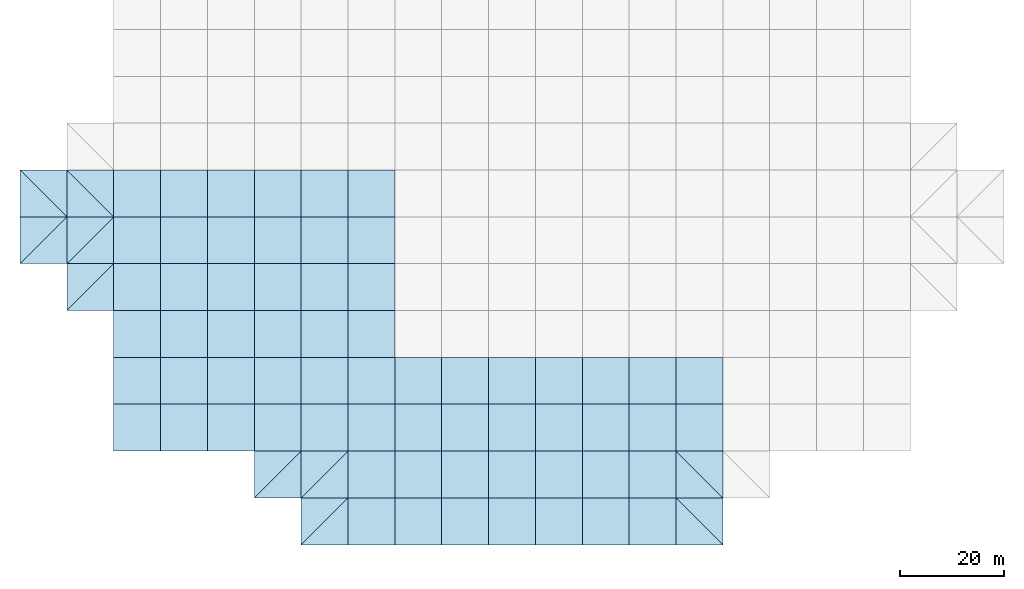
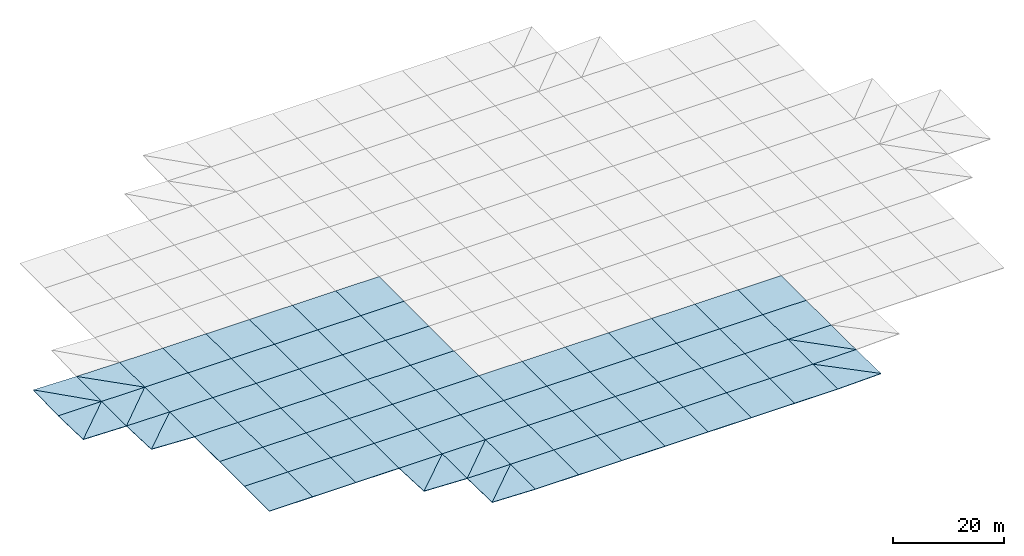
# One storey, part 1 of 3: 84 slabs.
"""IFC4 building model written with IfcOpenShell, lengths in metres."""

from ifc_helpers import new_model, si_unit, direction, frame, origin, place, context, subcontext, project, spatial, polyline, outline, extrude, material, layer, layer_set, type_object, element, save


model = new_model("IFC4")

# Units and contexts
model_context = context("Model", 3, precision=1e-05, world=origin(), true_north=direction((0.0, 1.0)))
body_context = subcontext(model_context, "Body", "Model", "MODEL_VIEW")
ifc_project = project(units=[si_unit("LENGTHUNIT", "METRE"), si_unit("AREAUNIT", "SQUARE_METRE"), si_unit("VOLUMEUNIT", "CUBIC_METRE"), si_unit("PLANEANGLEUNIT", "RADIAN"), si_unit("MASSUNIT", "GRAM", prefix="KILO")], contexts=[model_context])

# Site, building, storey
site_placement = place(None, origin())
site = spatial("IfcSite", under=ifc_project, at=site_placement, CompositionType="ELEMENT")
building_placement = place(site_placement, origin())
building = spatial("IfcBuilding", under=site, at=building_placement, Name="Opaline Strait Convention Centre", CompositionType="ELEMENT")
storey_placement = place(building_placement, frame((0.0, 0.0, 29.8798828125)))
storey = spatial("IfcBuildingStorey", under=building, at=storey_placement, Name="Roof Exhibition Block", CompositionType="ELEMENT", Elevation=29.8798828125)

# Slabs
ifc_material = material(Name="Steel Q235-B insulated roof panel", Category="steel")
ifc_layer = layer(ifc_material, 0.1201171875)
ifc_layer_set = layer_set([ifc_layer], Name="Steel Q235-B insulated roof panel")
slab_type = type_object("IfcSlabType", Name="Insulated roof panel 120 steel Q235B facings", PredefinedType="ROOF", material=ifc_layer_set)
slab_1_placement = place(storey_placement, frame((139.5, 40.5, 0.373046875), z_axis=(0.028065112591, 0.0, 0.999606097148), x_axis=(0.999606097148, 0.0, -0.028065112591)))
element("IfcSlab", 1, at=slab_1_placement, inside=storey, type_object=slab_type, Name="EXB-RF-D-6-0a", PredefinedType="ROOF", context=body_context, shape_type="SweptSolid", body=[
    extrude(outline(polyline([(0.0, 0.0), (9.003546522654254, 0.0), (9.003546522654254, 8.999999999999998), (0.0, 0.0)])), origin(), (0.0, 0.0, -1.0), 0.1201171875),
])
slab_2_placement = place(storey_placement, frame((139.5, 40.5, 0.372802734375), z_axis=(0.007268200226, 0.020801155124, 0.999757213133), x_axis=(0.706967474347, 0.706967474347, -0.01984894032)))
element("IfcSlab", 2, at=slab_2_placement, inside=storey, type_object=slab_type, Name="EXB-RF-D-6-0b", PredefinedType="ROOF", context=body_context, shape_type="SweptSolid", body=[
    extrude(outline(polyline([(0.0, 0.0), (12.730430078579417, -1.229485263598562e-15), (6.366424099497176, 6.364252426028673), (0.0, 0.0)])), origin(), (0.0, 0.0, -1.0), 0.1201171875),
])
slab_3_placement = place(storey_placement, origin())
element("IfcSlab", 3, at=slab_3_placement, inside=storey, type_object=slab_type, Name="EXB-RF-D-7-0", PredefinedType="ROOF", context=body_context, shape_type="SweptSolid", body=[
    extrude(outline(polyline([(148.5, 40.5), (157.5, 40.5), (157.5, 49.5), (148.5, 49.5), (148.5, 40.5)])), origin(), (0.0, 0.0, 1.0), 0.1201171875),
])
slab_4_placement = place(storey_placement, origin())
element("IfcSlab", 4, at=slab_4_placement, inside=storey, type_object=slab_type, Name="EXB-RF-D-8-0", PredefinedType="ROOF", context=body_context, shape_type="SweptSolid", body=[
    extrude(outline(polyline([(157.5, 40.5), (166.5, 40.5), (166.5, 49.5), (157.5, 49.5), (157.5, 40.5)])), origin(), (0.0, 0.0, 1.0), 0.1201171875),
])
slab_5_placement = place(storey_placement, origin())
element("IfcSlab", 5, at=slab_5_placement, inside=storey, type_object=slab_type, Name="EXB-RF-D-9-0", PredefinedType="ROOF", context=body_context, shape_type="SweptSolid", body=[
    extrude(outline(polyline([(166.5, 40.5), (175.5, 40.5), (175.5, 49.5), (166.5, 49.5), (166.5, 40.5)])), origin(), (0.0, 0.0, 1.0), 0.1201171875),
])
slab_6_placement = place(storey_placement, origin())
element("IfcSlab", 6, at=slab_6_placement, inside=storey, type_object=slab_type, Name="EXB-RF-D-10-0", PredefinedType="ROOF", context=body_context, shape_type="SweptSolid", body=[
    extrude(outline(polyline([(175.5, 40.5), (184.5, 40.5), (184.5, 49.5), (175.5, 49.5), (175.5, 40.5)])), origin(), (0.0, 0.0, 1.0), 0.1201171875),
])
slab_7_placement = place(storey_placement, origin())
element("IfcSlab", 7, at=slab_7_placement, inside=storey, type_object=slab_type, Name="EXB-RF-D-11-0", PredefinedType="ROOF", context=body_context, shape_type="SweptSolid", body=[
    extrude(outline(polyline([(184.5, 40.5), (193.5, 40.5), (193.5, 49.5), (184.5, 49.5), (184.5, 40.5)])), origin(), (0.0, 0.0, 1.0), 0.1201171875),
])
slab_8_placement = place(storey_placement, origin())
element("IfcSlab", 8, at=slab_8_placement, inside=storey, type_object=slab_type, Name="EXB-RF-D-12-0", PredefinedType="ROOF", context=body_context, shape_type="SweptSolid", body=[
    extrude(outline(polyline([(193.5, 40.5), (202.5, 40.5), (202.5, 49.5), (193.5, 49.5), (193.5, 40.5)])), origin(), (0.0, 0.0, 1.0), 0.1201171875),
])
slab_9_placement = place(storey_placement, origin())
element("IfcSlab", 9, at=slab_9_placement, inside=storey, type_object=slab_type, Name="EXB-RF-D-13-0", PredefinedType="ROOF", context=body_context, shape_type="SweptSolid", body=[
    extrude(outline(polyline([(202.5, 40.5), (211.5, 40.5), (211.5, 49.5), (202.5, 49.5), (202.5, 40.5)])), origin(), (0.0, 0.0, 1.0), 0.1201171875),
])
slab_10_placement = place(storey_placement, frame((220.5, 40.5, 0.372802734375), z_axis=(-0.007268200226, 0.020801155124, 0.999757213133), x_axis=(0.0, 0.999783621134, -0.020801704574)))
element("IfcSlab", 10, at=slab_10_placement, inside=storey, type_object=slab_type, Name="EXB-RF-D-14-0a", PredefinedType="ROOF", context=body_context, shape_type="SweptSolid", body=[
    extrude(outline(polyline([(0.0, 0.0), (9.00194783126798, -2.168404344971009e-19), (9.003308880297713, 9.00023772972425), (0.0, 0.0)])), origin(), (0.0, 0.0, -1.0), 0.1201171875),
])
slab_11_placement = place(storey_placement, frame((211.5, 40.5, 0.120361328125), z_axis=(-0.028065112591, 0.0, 0.999606097148), x_axis=(0.999606097148, 0.0, 0.028065112591)))
element("IfcSlab", 11, at=slab_11_placement, inside=storey, type_object=slab_type, Name="EXB-RF-D-14-0b", PredefinedType="ROOF", context=body_context, shape_type="SweptSolid", body=[
    extrude(outline(polyline([(0.0, 0.0), (9.003546522654254, 0.0), (0.0, 8.999999999999998), (0.0, 0.0)])), origin(), (0.0, 0.0, -1.0), 0.1201171875),
])
slab_12_placement = place(storey_placement, frame((130.5, 49.5, 0.522216796875), z_axis=(0.037353567758, 0.00726469968, 0.999275705256), x_axis=(0.999302075118, 0.0, -0.037354553481)))
element("IfcSlab", 12, at=slab_12_placement, inside=storey, type_object=slab_type, Name="EXB-RF-D-5-1a", PredefinedType="ROOF", context=body_context, shape_type="SweptSolid", body=[
    extrude(outline(polyline([(0.0, 0.0), (9.006285710896012, 0.0), (9.008729807656957, 9.000237500777263), (0.0, 0.0)])), origin(), (0.0, 0.0, -1.0), 0.1201171875),
])
slab_13_placement = place(storey_placement, frame((130.5, 49.5, 0.522216796875), z_axis=(0.0, 0.044606164642, 0.999004649677), x_axis=(0.706754608869, 0.706754608869, -0.031557022738)))
element("IfcSlab", 13, at=slab_13_placement, inside=storey, type_object=slab_type, Name="EXB-RF-D-5-1b", PredefinedType="ROOF", context=body_context, shape_type="SweptSolid", body=[
    extrude(outline(polyline([(0.0, 0.0), (12.734264321811619, 1.2836953722228372e-16), (6.373472841988095, 6.367129003735081), (0.0, 0.0)])), origin(), (0.0, 0.0, -1.0), 0.1201171875),
])
slab_14_placement = place(storey_placement, frame((139.5, 49.5, 0.185546875), z_axis=(0.007269773168, 0.0, 0.99997357485), x_axis=(0.99997357485, 0.0, -0.007269773168)))
element("IfcSlab", 14, at=slab_14_placement, inside=storey, type_object=slab_type, Name="EXB-RF-D-6-1a", PredefinedType="ROOF", context=body_context, shape_type="SweptSolid", body=[
    extrude(outline(polyline([(0.0, 0.0), (9.000237832635666, 0.0), (9.000237832635666, 9.0), (0.0, 0.0)])), origin(), (0.0, 0.0, -1.0), 0.1201171875),
])
slab_15_placement = place(storey_placement, frame((139.5, 49.5, 0.185546875), z_axis=(0.0, 0.007269773168, 0.99997357485), x_axis=(0.7070974383, 0.7070974383, -0.005140573824)))
element("IfcSlab", 15, at=slab_15_placement, inside=storey, type_object=slab_type, Name="EXB-RF-D-6-1b", PredefinedType="ROOF", context=body_context, shape_type="SweptSolid", body=[
    extrude(outline(polyline([(0.0, 0.0), (12.728090235538339, -9.204876444401933e-17), (6.364213290838621, 6.364045115547142), (0.0, 0.0)])), origin(), (0.0, 0.0, -1.0), 0.1201171875),
])
slab_16_placement = place(storey_placement, origin())
element("IfcSlab", 16, at=slab_16_placement, inside=storey, type_object=slab_type, Name="EXB-RF-D-7-1", PredefinedType="ROOF", context=body_context, shape_type="SweptSolid", body=[
    extrude(outline(polyline([(148.5, 49.5), (157.5, 49.5), (157.5, 58.5), (148.5, 58.5), (148.5, 49.5)])), origin(), (0.0, 0.0, 1.0), 0.1201171875),
])
slab_17_placement = place(storey_placement, origin())
element("IfcSlab", 17, at=slab_17_placement, inside=storey, type_object=slab_type, Name="EXB-RF-D-8-1", PredefinedType="ROOF", context=body_context, shape_type="SweptSolid", body=[
    extrude(outline(polyline([(157.5, 49.5), (166.5, 49.5), (166.5, 58.5), (157.5, 58.5), (157.5, 49.5)])), origin(), (0.0, 0.0, 1.0), 0.1201171875),
])
slab_18_placement = place(storey_placement, origin())
element("IfcSlab", 18, at=slab_18_placement, inside=storey, type_object=slab_type, Name="EXB-RF-D-9-1", PredefinedType="ROOF", context=body_context, shape_type="SweptSolid", body=[
    extrude(outline(polyline([(166.5, 49.5), (175.5, 49.5), (175.5, 58.5), (166.5, 58.5), (166.5, 49.5)])), origin(), (0.0, 0.0, 1.0), 0.1201171875),
])
slab_19_placement = place(storey_placement, origin())
element("IfcSlab", 19, at=slab_19_placement, inside=storey, type_object=slab_type, Name="EXB-RF-D-10-1", PredefinedType="ROOF", context=body_context, shape_type="SweptSolid", body=[
    extrude(outline(polyline([(175.5, 49.5), (184.5, 49.5), (184.5, 58.5), (175.5, 58.5), (175.5, 49.5)])), origin(), (0.0, 0.0, 1.0), 0.1201171875),
])
slab_20_placement = place(storey_placement, origin())
element("IfcSlab", 20, at=slab_20_placement, inside=storey, type_object=slab_type, Name="EXB-RF-D-11-1", PredefinedType="ROOF", context=body_context, shape_type="SweptSolid", body=[
    extrude(outline(polyline([(184.5, 49.5), (193.5, 49.5), (193.5, 58.5), (184.5, 58.5), (184.5, 49.5)])), origin(), (0.0, 0.0, 1.0), 0.1201171875),
])
slab_21_placement = place(storey_placement, origin())
element("IfcSlab", 21, at=slab_21_placement, inside=storey, type_object=slab_type, Name="EXB-RF-D-12-1", PredefinedType="ROOF", context=body_context, shape_type="SweptSolid", body=[
    extrude(outline(polyline([(193.5, 49.5), (202.5, 49.5), (202.5, 58.5), (193.5, 58.5), (193.5, 49.5)])), origin(), (0.0, 0.0, 1.0), 0.1201171875),
])
slab_22_placement = place(storey_placement, origin())
element("IfcSlab", 22, at=slab_22_placement, inside=storey, type_object=slab_type, Name="EXB-RF-D-13-1", PredefinedType="ROOF", context=body_context, shape_type="SweptSolid", body=[
    extrude(outline(polyline([(202.5, 49.5), (211.5, 49.5), (211.5, 58.5), (202.5, 58.5), (202.5, 49.5)])), origin(), (0.0, 0.0, 1.0), 0.1201171875),
])
slab_23_placement = place(storey_placement, frame((220.5, 49.5, 0.185546875), z_axis=(0.0, 0.007269773168, 0.99997357485), x_axis=(0.0, 0.99997357485, -0.007269773168)))
element("IfcSlab", 23, at=slab_23_placement, inside=storey, type_object=slab_type, Name="EXB-RF-D-14-1a", PredefinedType="ROOF", context=body_context, shape_type="SweptSolid", body=[
    extrude(outline(polyline([(0.0, 0.0), (9.000237832635666, 0.0), (9.000237832635666, 9.0), (0.0, 0.0)])), origin(), (0.0, 0.0, -1.0), 0.1201171875),
])
slab_24_placement = place(storey_placement, frame((211.5, 49.5, 0.1201171875), z_axis=(-0.007269773168, 0.0, 0.99997357485), x_axis=(0.99997357485, 0.0, 0.007269773168)))
element("IfcSlab", 24, at=slab_24_placement, inside=storey, type_object=slab_type, Name="EXB-RF-D-14-1b", PredefinedType="ROOF", context=body_context, shape_type="SweptSolid", body=[
    extrude(outline(polyline([(0.0, 0.0), (9.000237832635666, 0.0), (0.0, 9.0), (0.0, 0.0)])), origin(), (0.0, 0.0, -1.0), 0.1201171875),
])
slab_25_placement = place(storey_placement, origin())
element("IfcSlab", 25, at=slab_25_placement, inside=storey, type_object=slab_type, Name="EXB-RF-D-2-2", PredefinedType="ROOF", context=body_context, shape_type="SweptSolid", body=[
    extrude(outline(polyline([(103.5, 58.5), (112.5, 58.5), (112.5, 67.5), (103.5, 67.5), (103.5, 58.5)])), origin(), (0.0, 0.0, 1.0), 0.1201171875),
])
slab_26_placement = place(storey_placement, origin())
element("IfcSlab", 26, at=slab_26_placement, inside=storey, type_object=slab_type, Name="EXB-RF-D-3-2", PredefinedType="ROOF", context=body_context, shape_type="SweptSolid", body=[
    extrude(outline(polyline([(112.5, 58.5), (121.5, 58.5), (121.5, 67.5), (112.5, 67.5), (112.5, 58.5)])), origin(), (0.0, 0.0, 1.0), 0.1201171875),
])
slab_27_placement = place(storey_placement, origin())
element("IfcSlab", 27, at=slab_27_placement, inside=storey, type_object=slab_type, Name="EXB-RF-D-4-2", PredefinedType="ROOF", context=body_context, shape_type="SweptSolid", body=[
    extrude(outline(polyline([(121.5, 58.5), (130.5, 58.5), (130.5, 67.5), (121.5, 67.5), (121.5, 58.5)])), origin(), (0.0, 0.0, 1.0), 0.1201171875),
])
slab_28_placement = place(storey_placement, origin())
element("IfcSlab", 28, at=slab_28_placement, inside=storey, type_object=slab_type, Name="EXB-RF-D-5-2", PredefinedType="ROOF", context=body_context, shape_type="SweptSolid", body=[
    extrude(outline(polyline([(130.5, 58.5), (139.5, 58.5), (139.5, 67.5), (130.5, 67.5), (130.5, 58.5)])), origin(), (0.0, 0.0, 1.0), 0.1201171875),
])
slab_29_placement = place(storey_placement, origin())
element("IfcSlab", 29, at=slab_29_placement, inside=storey, type_object=slab_type, Name="EXB-RF-D-6-2", PredefinedType="ROOF", context=body_context, shape_type="SweptSolid", body=[
    extrude(outline(polyline([(139.5, 58.5), (148.5, 58.5), (148.5, 67.5), (139.5, 67.5), (139.5, 58.5)])), origin(), (0.0, 0.0, 1.0), 0.1201171875),
])
slab_30_placement = place(storey_placement, origin())
element("IfcSlab", 30, at=slab_30_placement, inside=storey, type_object=slab_type, Name="EXB-RF-D-7-2", PredefinedType="ROOF", context=body_context, shape_type="SweptSolid", body=[
    extrude(outline(polyline([(148.5, 58.5), (157.5, 58.5), (157.5, 67.5), (148.5, 67.5), (148.5, 58.5)])), origin(), (0.0, 0.0, 1.0), 0.1201171875),
])
slab_31_placement = place(storey_placement, origin())
element("IfcSlab", 31, at=slab_31_placement, inside=storey, type_object=slab_type, Name="EXB-RF-D-8-2", PredefinedType="ROOF", context=body_context, shape_type="SweptSolid", body=[
    extrude(outline(polyline([(157.5, 58.5), (166.5, 58.5), (166.5, 67.5), (157.5, 67.5), (157.5, 58.5)])), origin(), (0.0, 0.0, 1.0), 0.1201171875),
])
slab_32_placement = place(storey_placement, origin())
element("IfcSlab", 32, at=slab_32_placement, inside=storey, type_object=slab_type, Name="EXB-RF-D-9-2", PredefinedType="ROOF", context=body_context, shape_type="SweptSolid", body=[
    extrude(outline(polyline([(166.5, 58.5), (175.5, 58.5), (175.5, 67.5), (166.5, 67.5), (166.5, 58.5)])), origin(), (0.0, 0.0, 1.0), 0.1201171875),
])
slab_33_placement = place(storey_placement, origin())
element("IfcSlab", 33, at=slab_33_placement, inside=storey, type_object=slab_type, Name="EXB-RF-D-10-2", PredefinedType="ROOF", context=body_context, shape_type="SweptSolid", body=[
    extrude(outline(polyline([(175.5, 58.5), (184.5, 58.5), (184.5, 67.5), (175.5, 67.5), (175.5, 58.5)])), origin(), (0.0, 0.0, 1.0), 0.1201171875),
])
slab_34_placement = place(storey_placement, origin())
element("IfcSlab", 34, at=slab_34_placement, inside=storey, type_object=slab_type, Name="EXB-RF-D-11-2", PredefinedType="ROOF", context=body_context, shape_type="SweptSolid", body=[
    extrude(outline(polyline([(184.5, 58.5), (193.5, 58.5), (193.5, 67.5), (184.5, 67.5), (184.5, 58.5)])), origin(), (0.0, 0.0, 1.0), 0.1201171875),
])
slab_35_placement = place(storey_placement, origin())
element("IfcSlab", 35, at=slab_35_placement, inside=storey, type_object=slab_type, Name="EXB-RF-D-12-2", PredefinedType="ROOF", context=body_context, shape_type="SweptSolid", body=[
    extrude(outline(polyline([(193.5, 58.5), (202.5, 58.5), (202.5, 67.5), (193.5, 67.5), (193.5, 58.5)])), origin(), (0.0, 0.0, 1.0), 0.1201171875),
])
slab_36_placement = place(storey_placement, origin())
element("IfcSlab", 36, at=slab_36_placement, inside=storey, type_object=slab_type, Name="EXB-RF-D-13-2", PredefinedType="ROOF", context=body_context, shape_type="SweptSolid", body=[
    extrude(outline(polyline([(202.5, 58.5), (211.5, 58.5), (211.5, 67.5), (202.5, 67.5), (202.5, 58.5)])), origin(), (0.0, 0.0, 1.0), 0.1201171875),
])
slab_37_placement = place(storey_placement, origin())
element("IfcSlab", 37, at=slab_37_placement, inside=storey, type_object=slab_type, Name="EXB-RF-D-14-2", PredefinedType="ROOF", context=body_context, shape_type="SweptSolid", body=[
    extrude(outline(polyline([(211.5, 58.5), (220.5, 58.5), (220.5, 67.5), (211.5, 67.5), (211.5, 58.5)])), origin(), (0.0, 0.0, 1.0), 0.1201171875),
])
slab_38_placement = place(storey_placement, origin())
element("IfcSlab", 38, at=slab_38_placement, inside=storey, type_object=slab_type, Name="EXB-RF-D-2-3", PredefinedType="ROOF", context=body_context, shape_type="SweptSolid", body=[
    extrude(outline(polyline([(103.5, 67.5), (112.5, 67.5), (112.5, 76.5), (103.5, 76.5), (103.5, 67.5)])), origin(), (0.0, 0.0, 1.0), 0.1201171875),
])
slab_39_placement = place(storey_placement, origin())
element("IfcSlab", 39, at=slab_39_placement, inside=storey, type_object=slab_type, Name="EXB-RF-D-3-3", PredefinedType="ROOF", context=body_context, shape_type="SweptSolid", body=[
    extrude(outline(polyline([(112.5, 67.5), (121.5, 67.5), (121.5, 76.5), (112.5, 76.5), (112.5, 67.5)])), origin(), (0.0, 0.0, 1.0), 0.1201171875),
])
slab_40_placement = place(storey_placement, origin())
element("IfcSlab", 40, at=slab_40_placement, inside=storey, type_object=slab_type, Name="EXB-RF-D-4-3", PredefinedType="ROOF", context=body_context, shape_type="SweptSolid", body=[
    extrude(outline(polyline([(121.5, 67.5), (130.5, 67.5), (130.5, 76.5), (121.5, 76.5), (121.5, 67.5)])), origin(), (0.0, 0.0, 1.0), 0.1201171875),
])
slab_41_placement = place(storey_placement, origin())
element("IfcSlab", 41, at=slab_41_placement, inside=storey, type_object=slab_type, Name="EXB-RF-D-5-3", PredefinedType="ROOF", context=body_context, shape_type="SweptSolid", body=[
    extrude(outline(polyline([(130.5, 67.5), (139.5, 67.5), (139.5, 76.5), (130.5, 76.5), (130.5, 67.5)])), origin(), (0.0, 0.0, 1.0), 0.1201171875),
])
slab_42_placement = place(storey_placement, origin())
element("IfcSlab", 42, at=slab_42_placement, inside=storey, type_object=slab_type, Name="EXB-RF-D-6-3", PredefinedType="ROOF", context=body_context, shape_type="SweptSolid", body=[
    extrude(outline(polyline([(139.5, 67.5), (148.5, 67.5), (148.5, 76.5), (139.5, 76.5), (139.5, 67.5)])), origin(), (0.0, 0.0, 1.0), 0.1201171875),
])
slab_43_placement = place(storey_placement, origin())
element("IfcSlab", 43, at=slab_43_placement, inside=storey, type_object=slab_type, Name="EXB-RF-D-7-3", PredefinedType="ROOF", context=body_context, shape_type="SweptSolid", body=[
    extrude(outline(polyline([(148.5, 67.5), (157.5, 67.5), (157.5, 76.5), (148.5, 76.5), (148.5, 67.5)])), origin(), (0.0, 0.0, 1.0), 0.1201171875),
])
slab_44_placement = place(storey_placement, origin())
element("IfcSlab", 44, at=slab_44_placement, inside=storey, type_object=slab_type, Name="EXB-RF-D-8-3", PredefinedType="ROOF", context=body_context, shape_type="SweptSolid", body=[
    extrude(outline(polyline([(157.5, 67.5), (166.5, 67.5), (166.5, 76.5), (157.5, 76.5), (157.5, 67.5)])), origin(), (0.0, 0.0, 1.0), 0.1201171875),
])
slab_45_placement = place(storey_placement, origin())
element("IfcSlab", 45, at=slab_45_placement, inside=storey, type_object=slab_type, Name="EXB-RF-D-9-3", PredefinedType="ROOF", context=body_context, shape_type="SweptSolid", body=[
    extrude(outline(polyline([(166.5, 67.5), (175.5, 67.5), (175.5, 76.5), (166.5, 76.5), (166.5, 67.5)])), origin(), (0.0, 0.0, 1.0), 0.1201171875),
])
slab_46_placement = place(storey_placement, origin())
element("IfcSlab", 46, at=slab_46_placement, inside=storey, type_object=slab_type, Name="EXB-RF-D-10-3", PredefinedType="ROOF", context=body_context, shape_type="SweptSolid", body=[
    extrude(outline(polyline([(175.5, 67.5), (184.5, 67.5), (184.5, 76.5), (175.5, 76.5), (175.5, 67.5)])), origin(), (0.0, 0.0, 1.0), 0.1201171875),
])
slab_47_placement = place(storey_placement, origin())
element("IfcSlab", 47, at=slab_47_placement, inside=storey, type_object=slab_type, Name="EXB-RF-D-11-3", PredefinedType="ROOF", context=body_context, shape_type="SweptSolid", body=[
    extrude(outline(polyline([(184.5, 67.5), (193.5, 67.5), (193.5, 76.5), (184.5, 76.5), (184.5, 67.5)])), origin(), (0.0, 0.0, 1.0), 0.1201171875),
])
slab_48_placement = place(storey_placement, origin())
element("IfcSlab", 48, at=slab_48_placement, inside=storey, type_object=slab_type, Name="EXB-RF-D-12-3", PredefinedType="ROOF", context=body_context, shape_type="SweptSolid", body=[
    extrude(outline(polyline([(193.5, 67.5), (202.5, 67.5), (202.5, 76.5), (193.5, 76.5), (193.5, 67.5)])), origin(), (0.0, 0.0, 1.0), 0.1201171875),
])
slab_49_placement = place(storey_placement, origin())
element("IfcSlab", 49, at=slab_49_placement, inside=storey, type_object=slab_type, Name="EXB-RF-D-13-3", PredefinedType="ROOF", context=body_context, shape_type="SweptSolid", body=[
    extrude(outline(polyline([(202.5, 67.5), (211.5, 67.5), (211.5, 76.5), (202.5, 76.5), (202.5, 67.5)])), origin(), (0.0, 0.0, 1.0), 0.1201171875),
])
slab_50_placement = place(storey_placement, origin())
element("IfcSlab", 50, at=slab_50_placement, inside=storey, type_object=slab_type, Name="EXB-RF-D-14-3", PredefinedType="ROOF", context=body_context, shape_type="SweptSolid", body=[
    extrude(outline(polyline([(211.5, 67.5), (220.5, 67.5), (220.5, 76.5), (211.5, 76.5), (211.5, 67.5)])), origin(), (0.0, 0.0, 1.0), 0.1201171875),
])
slab_51_placement = place(storey_placement, origin())
element("IfcSlab", 51, at=slab_51_placement, inside=storey, type_object=slab_type, Name="EXB-RF-D-2-4", PredefinedType="ROOF", context=body_context, shape_type="SweptSolid", body=[
    extrude(outline(polyline([(103.5, 76.5), (112.5, 76.5), (112.5, 85.5), (103.5, 85.5), (103.5, 76.5)])), origin(), (0.0, 0.0, 1.0), 0.1201171875),
])
slab_52_placement = place(storey_placement, origin())
element("IfcSlab", 52, at=slab_52_placement, inside=storey, type_object=slab_type, Name="EXB-RF-D-3-4", PredefinedType="ROOF", context=body_context, shape_type="SweptSolid", body=[
    extrude(outline(polyline([(112.5, 76.5), (121.5, 76.5), (121.5, 85.5), (112.5, 85.5), (112.5, 76.5)])), origin(), (0.0, 0.0, 1.0), 0.1201171875),
])
slab_53_placement = place(storey_placement, origin())
element("IfcSlab", 53, at=slab_53_placement, inside=storey, type_object=slab_type, Name="EXB-RF-D-4-4", PredefinedType="ROOF", context=body_context, shape_type="SweptSolid", body=[
    extrude(outline(polyline([(121.5, 76.5), (130.5, 76.5), (130.5, 85.5), (121.5, 85.5), (121.5, 76.5)])), origin(), (0.0, 0.0, 1.0), 0.1201171875),
])
slab_54_placement = place(storey_placement, origin())
element("IfcSlab", 54, at=slab_54_placement, inside=storey, type_object=slab_type, Name="EXB-RF-D-5-4", PredefinedType="ROOF", context=body_context, shape_type="SweptSolid", body=[
    extrude(outline(polyline([(130.5, 76.5), (139.5, 76.5), (139.5, 85.5), (130.5, 85.5), (130.5, 76.5)])), origin(), (0.0, 0.0, 1.0), 0.1201171875),
])
slab_55_placement = place(storey_placement, origin())
element("IfcSlab", 55, at=slab_55_placement, inside=storey, type_object=slab_type, Name="EXB-RF-D-6-4", PredefinedType="ROOF", context=body_context, shape_type="SweptSolid", body=[
    extrude(outline(polyline([(139.5, 76.5), (148.5, 76.5), (148.5, 85.5), (139.5, 85.5), (139.5, 76.5)])), origin(), (0.0, 0.0, 1.0), 0.1201171875),
])
slab_56_placement = place(storey_placement, origin())
element("IfcSlab", 56, at=slab_56_placement, inside=storey, type_object=slab_type, Name="EXB-RF-D-7-4", PredefinedType="ROOF", context=body_context, shape_type="SweptSolid", body=[
    extrude(outline(polyline([(148.5, 76.5), (157.5, 76.5), (157.5, 85.5), (148.5, 85.5), (148.5, 76.5)])), origin(), (0.0, 0.0, 1.0), 0.1201171875),
])
slab_57_placement = place(storey_placement, frame((94.5, 85.5, 0.5224609375), z_axis=(0.044606164642, 0.0, 0.999004649677), x_axis=(0.999004649677, 0.0, -0.044606164642)))
element("IfcSlab", 57, at=slab_57_placement, inside=storey, type_object=slab_type, Name="EXB-RF-D-1-5a", PredefinedType="ROOF", context=body_context, shape_type="SweptSolid", body=[
    extrude(outline(polyline([(0.0, 0.0), (9.008967078292844, 0.0), (9.008967078292844, 9.0), (0.0, 0.0)])), origin(), (0.0, 0.0, -1.0), 0.1201171875),
])
slab_58_placement = place(storey_placement, frame((94.5, 85.5, 0.522216796875), z_axis=(0.00726469968, 0.037353567758, 0.999275705256), x_axis=(0.706754608869, 0.706754608869, -0.031557022738)))
element("IfcSlab", 58, at=slab_58_placement, inside=storey, type_object=slab_type, Name="EXB-RF-D-1-5b", PredefinedType="ROOF", context=body_context, shape_type="SweptSolid", body=[
    extrude(outline(polyline([(0.0, 0.0), (12.734264321811619, 1.8041124150158794e-16), (6.371408075851944, 6.365401906970079), (0.0, 0.0)])), origin(), (0.0, 0.0, -1.0), 0.1201171875),
])
slab_59_placement = place(storey_placement, origin())
element("IfcSlab", 59, at=slab_59_placement, inside=storey, type_object=slab_type, Name="EXB-RF-D-2-5", PredefinedType="ROOF", context=body_context, shape_type="SweptSolid", body=[
    extrude(outline(polyline([(103.5, 85.5), (112.5, 85.5), (112.5, 94.5), (103.5, 94.5), (103.5, 85.5)])), origin(), (0.0, 0.0, 1.0), 0.1201171875),
])
slab_60_placement = place(storey_placement, origin())
element("IfcSlab", 60, at=slab_60_placement, inside=storey, type_object=slab_type, Name="EXB-RF-D-3-5", PredefinedType="ROOF", context=body_context, shape_type="SweptSolid", body=[
    extrude(outline(polyline([(112.5, 85.5), (121.5, 85.5), (121.5, 94.5), (112.5, 94.5), (112.5, 85.5)])), origin(), (0.0, 0.0, 1.0), 0.1201171875),
])
slab_61_placement = place(storey_placement, origin())
element("IfcSlab", 61, at=slab_61_placement, inside=storey, type_object=slab_type, Name="EXB-RF-D-4-5", PredefinedType="ROOF", context=body_context, shape_type="SweptSolid", body=[
    extrude(outline(polyline([(121.5, 85.5), (130.5, 85.5), (130.5, 94.5), (121.5, 94.5), (121.5, 85.5)])), origin(), (0.0, 0.0, 1.0), 0.1201171875),
])
slab_62_placement = place(storey_placement, origin())
element("IfcSlab", 62, at=slab_62_placement, inside=storey, type_object=slab_type, Name="EXB-RF-D-5-5", PredefinedType="ROOF", context=body_context, shape_type="SweptSolid", body=[
    extrude(outline(polyline([(130.5, 85.5), (139.5, 85.5), (139.5, 94.5), (130.5, 94.5), (130.5, 85.5)])), origin(), (0.0, 0.0, 1.0), 0.1201171875),
])
slab_63_placement = place(storey_placement, origin())
element("IfcSlab", 63, at=slab_63_placement, inside=storey, type_object=slab_type, Name="EXB-RF-D-6-5", PredefinedType="ROOF", context=body_context, shape_type="SweptSolid", body=[
    extrude(outline(polyline([(139.5, 85.5), (148.5, 85.5), (148.5, 94.5), (139.5, 94.5), (139.5, 85.5)])), origin(), (0.0, 0.0, 1.0), 0.1201171875),
])
slab_64_placement = place(storey_placement, origin())
element("IfcSlab", 64, at=slab_64_placement, inside=storey, type_object=slab_type, Name="EXB-RF-D-7-5", PredefinedType="ROOF", context=body_context, shape_type="SweptSolid", body=[
    extrude(outline(polyline([(148.5, 85.5), (157.5, 85.5), (157.5, 94.5), (148.5, 94.5), (148.5, 85.5)])), origin(), (0.0, 0.0, 1.0), 0.1201171875),
])
slab_65_placement = place(storey_placement, frame((85.5, 94.5, 0.372802734375), z_axis=(0.020774042583, 0.007295323048, 0.999757579324), x_axis=(0.999784184804, 0.0, -0.02077459542)))
element("IfcSlab", 65, at=slab_65_placement, inside=storey, type_object=slab_type, Name="EXB-RF-D-0-6a", PredefinedType="ROOF", context=body_context, shape_type="SweptSolid", body=[
    extrude(outline(polyline([(0.0, 0.0), (9.001942756036044, -2.168404344971009e-19), (9.00330710324502, 9.000239507382974), (0.0, 0.0)])), origin(), (0.0, 0.0, -1.0), 0.1201171875),
])
slab_66_placement = place(storey_placement, frame((85.5, 94.5, 0.373046875), z_axis=(0.0, 0.028092207253, 0.999605336066), x_axis=(0.706967205104, 0.706967205104, -0.019868110473)))
element("IfcSlab", 66, at=slab_66_placement, inside=storey, type_object=slab_type, Name="EXB-RF-D-0-6b", PredefinedType="ROOF", context=body_context, shape_type="SweptSolid", body=[
    extrude(outline(polyline([(0.0, 0.0), (12.730434926852219, -3.8424124992886277e-16), (6.367730080912724, 6.365216967508498), (0.0, 0.0)])), origin(), (0.0, 0.0, -1.0), 0.1201171875),
])
slab_67_placement = place(storey_placement, frame((94.5, 94.5, 0.185546875), z_axis=(0.007269773168, 0.0, 0.99997357485), x_axis=(0.99997357485, 0.0, -0.007269773168)))
element("IfcSlab", 67, at=slab_67_placement, inside=storey, type_object=slab_type, Name="EXB-RF-D-1-6a", PredefinedType="ROOF", context=body_context, shape_type="SweptSolid", body=[
    extrude(outline(polyline([(0.0, 0.0), (9.000237832635666, 0.0), (9.000237832635666, 9.0), (0.0, 0.0)])), origin(), (0.0, 0.0, -1.0), 0.1201171875),
])
slab_68_placement = place(storey_placement, frame((94.5, 94.5, 0.185546875), z_axis=(0.0, 0.007269773168, 0.99997357485), x_axis=(0.7070974383, 0.7070974383, -0.005140573824)))
element("IfcSlab", 68, at=slab_68_placement, inside=storey, type_object=slab_type, Name="EXB-RF-D-1-6b", PredefinedType="ROOF", context=body_context, shape_type="SweptSolid", body=[
    extrude(outline(polyline([(0.0, 0.0), (12.728090235538339, -9.204876444401933e-17), (6.364213290838621, 6.364045115547142), (0.0, 0.0)])), origin(), (0.0, 0.0, -1.0), 0.1201171875),
])
slab_69_placement = place(storey_placement, origin())
element("IfcSlab", 69, at=slab_69_placement, inside=storey, type_object=slab_type, Name="EXB-RF-D-2-6", PredefinedType="ROOF", context=body_context, shape_type="SweptSolid", body=[
    extrude(outline(polyline([(103.5, 94.5), (112.5, 94.5), (112.5, 103.5), (103.5, 103.5), (103.5, 94.5)])), origin(), (0.0, 0.0, 1.0), 0.1201171875),
])
slab_70_placement = place(storey_placement, origin())
element("IfcSlab", 70, at=slab_70_placement, inside=storey, type_object=slab_type, Name="EXB-RF-D-3-6", PredefinedType="ROOF", context=body_context, shape_type="SweptSolid", body=[
    extrude(outline(polyline([(112.5, 94.5), (121.5, 94.5), (121.5, 103.5), (112.5, 103.5), (112.5, 94.5)])), origin(), (0.0, 0.0, 1.0), 0.1201171875),
])
slab_71_placement = place(storey_placement, origin())
element("IfcSlab", 71, at=slab_71_placement, inside=storey, type_object=slab_type, Name="EXB-RF-D-4-6", PredefinedType="ROOF", context=body_context, shape_type="SweptSolid", body=[
    extrude(outline(polyline([(121.5, 94.5), (130.5, 94.5), (130.5, 103.5), (121.5, 103.5), (121.5, 94.5)])), origin(), (0.0, 0.0, 1.0), 0.1201171875),
])
slab_72_placement = place(storey_placement, origin())
element("IfcSlab", 72, at=slab_72_placement, inside=storey, type_object=slab_type, Name="EXB-RF-D-5-6", PredefinedType="ROOF", context=body_context, shape_type="SweptSolid", body=[
    extrude(outline(polyline([(130.5, 94.5), (139.5, 94.5), (139.5, 103.5), (130.5, 103.5), (130.5, 94.5)])), origin(), (0.0, 0.0, 1.0), 0.1201171875),
])
slab_73_placement = place(storey_placement, origin())
element("IfcSlab", 73, at=slab_73_placement, inside=storey, type_object=slab_type, Name="EXB-RF-D-6-6", PredefinedType="ROOF", context=body_context, shape_type="SweptSolid", body=[
    extrude(outline(polyline([(139.5, 94.5), (148.5, 94.5), (148.5, 103.5), (139.5, 103.5), (139.5, 94.5)])), origin(), (0.0, 0.0, 1.0), 0.1201171875),
])
slab_74_placement = place(storey_placement, origin())
element("IfcSlab", 74, at=slab_74_placement, inside=storey, type_object=slab_type, Name="EXB-RF-D-7-6", PredefinedType="ROOF", context=body_context, shape_type="SweptSolid", body=[
    extrude(outline(polyline([(148.5, 94.5), (157.5, 94.5), (157.5, 103.5), (148.5, 103.5), (148.5, 94.5)])), origin(), (0.0, 0.0, 1.0), 0.1201171875),
])
slab_75_placement = place(storey_placement, frame((94.5, 103.5, 0.1201171875), z_axis=(0.020774042583, -0.007295323048, 0.999757579324), x_axis=(0.0, 0.999973377287, 0.007296897746)))
element("IfcSlab", 75, at=slab_75_placement, inside=storey, type_object=slab_type, Name="EXB-RF-D-0-7a", PredefinedType="ROOF", context=body_context, shape_type="SweptSolid", body=[
    extrude(outline(polyline([(0.0, 0.0), (9.000239610793738, -2.168404344971009e-19), (9.001604216182667, 9.001942652605711), (0.0, 0.0)])), origin(), (0.0, 0.0, -1.0), 0.1201171875),
])
slab_76_placement = place(storey_placement, frame((85.5, 103.5, 0.1201171875), z_axis=(0.0, -0.028092207253, 0.999605336066), x_axis=(1.0, 0.0, 0.0)))
element("IfcSlab", 76, at=slab_76_placement, inside=storey, type_object=slab_type, Name="EXB-RF-D-0-7b", PredefinedType="ROOF", context=body_context, shape_type="SweptSolid", body=[
    extrude(outline(polyline([(0.0, 0.0), (9.0, 0.0), (0.0, 9.00355337779584), (0.0, 0.0)])), origin(), (0.0, 0.0, -1.0), 0.1201171875),
])
slab_77_placement = place(storey_placement, frame((103.5, 103.5, 0.1201171875), z_axis=(0.007269773168, 0.0, 0.99997357485), x_axis=(0.0, 1.0, 0.0)))
element("IfcSlab", 77, at=slab_77_placement, inside=storey, type_object=slab_type, Name="EXB-RF-D-1-7a", PredefinedType="ROOF", context=body_context, shape_type="SweptSolid", body=[
    extrude(outline(polyline([(0.0, 0.0), (9.0, 0.0), (9.0, 9.000237832635666), (0.0, 0.0)])), origin(), (0.0, 0.0, -1.0), 0.1201171875),
])
slab_78_placement = place(storey_placement, frame((94.5, 103.5, 0.1201171875), z_axis=(0.0, -0.007269773168, 0.99997357485), x_axis=(1.0, 0.0, 0.0)))
element("IfcSlab", 78, at=slab_78_placement, inside=storey, type_object=slab_type, Name="EXB-RF-D-1-7b", PredefinedType="ROOF", context=body_context, shape_type="SweptSolid", body=[
    extrude(outline(polyline([(0.0, 0.0), (9.0, 0.0), (0.0, 9.000237832635666), (0.0, 0.0)])), origin(), (0.0, 0.0, -1.0), 0.1201171875),
])
slab_79_placement = place(storey_placement, origin())
element("IfcSlab", 79, at=slab_79_placement, inside=storey, type_object=slab_type, Name="EXB-RF-D-2-7", PredefinedType="ROOF", context=body_context, shape_type="SweptSolid", body=[
    extrude(outline(polyline([(103.5, 103.5), (112.5, 103.5), (112.5, 112.5), (103.5, 112.5), (103.5, 103.5)])), origin(), (0.0, 0.0, 1.0), 0.1201171875),
])
slab_80_placement = place(storey_placement, origin())
element("IfcSlab", 80, at=slab_80_placement, inside=storey, type_object=slab_type, Name="EXB-RF-D-3-7", PredefinedType="ROOF", context=body_context, shape_type="SweptSolid", body=[
    extrude(outline(polyline([(112.5, 103.5), (121.5, 103.5), (121.5, 112.5), (112.5, 112.5), (112.5, 103.5)])), origin(), (0.0, 0.0, 1.0), 0.1201171875),
])
slab_81_placement = place(storey_placement, origin())
element("IfcSlab", 81, at=slab_81_placement, inside=storey, type_object=slab_type, Name="EXB-RF-D-4-7", PredefinedType="ROOF", context=body_context, shape_type="SweptSolid", body=[
    extrude(outline(polyline([(121.5, 103.5), (130.5, 103.5), (130.5, 112.5), (121.5, 112.5), (121.5, 103.5)])), origin(), (0.0, 0.0, 1.0), 0.1201171875),
])
slab_82_placement = place(storey_placement, origin())
element("IfcSlab", 82, at=slab_82_placement, inside=storey, type_object=slab_type, Name="EXB-RF-D-5-7", PredefinedType="ROOF", context=body_context, shape_type="SweptSolid", body=[
    extrude(outline(polyline([(130.5, 103.5), (139.5, 103.5), (139.5, 112.5), (130.5, 112.5), (130.5, 103.5)])), origin(), (0.0, 0.0, 1.0), 0.1201171875),
])
slab_83_placement = place(storey_placement, origin())
element("IfcSlab", 83, at=slab_83_placement, inside=storey, type_object=slab_type, Name="EXB-RF-D-6-7", PredefinedType="ROOF", context=body_context, shape_type="SweptSolid", body=[
    extrude(outline(polyline([(139.5, 103.5), (148.5, 103.5), (148.5, 112.5), (139.5, 112.5), (139.5, 103.5)])), origin(), (0.0, 0.0, 1.0), 0.1201171875),
])
slab_84_placement = place(storey_placement, origin())
element("IfcSlab", 84, at=slab_84_placement, inside=storey, type_object=slab_type, Name="EXB-RF-D-7-7", PredefinedType="ROOF", context=body_context, shape_type="SweptSolid", body=[
    extrude(outline(polyline([(148.5, 103.5), (157.5, 103.5), (157.5, 112.5), (148.5, 112.5), (148.5, 103.5)])), origin(), (0.0, 0.0, 1.0), 0.1201171875),
])

save(model, "model.ifc")
